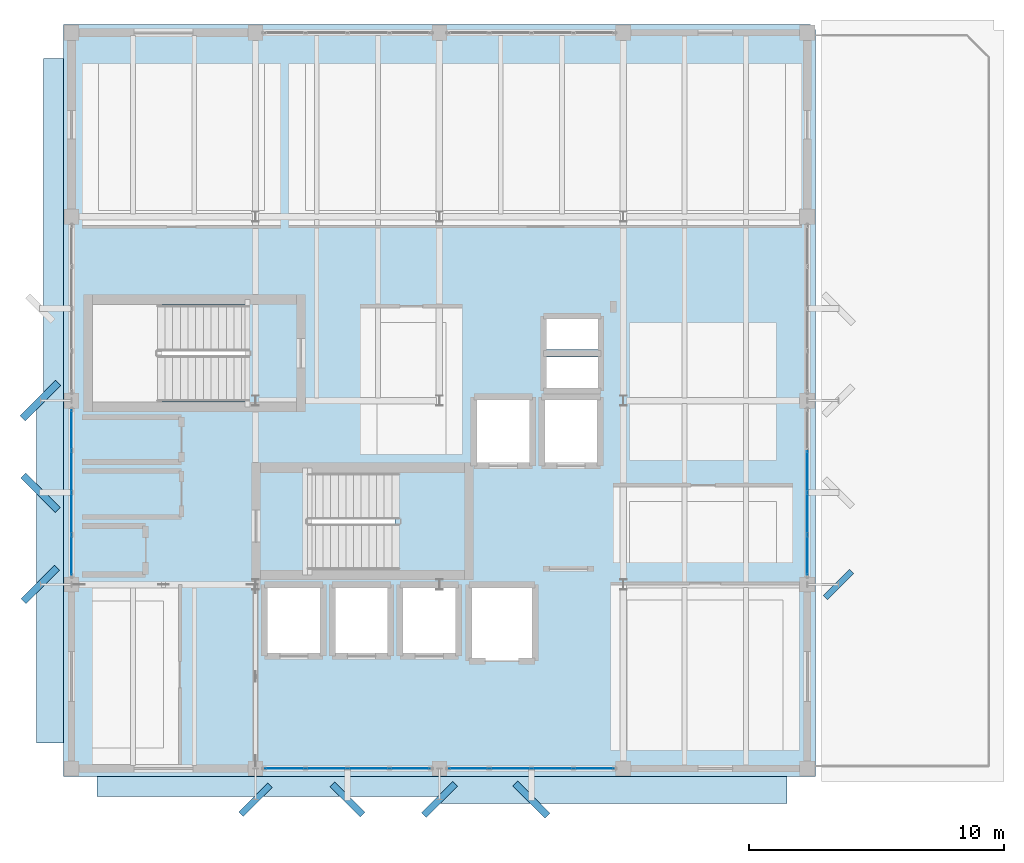
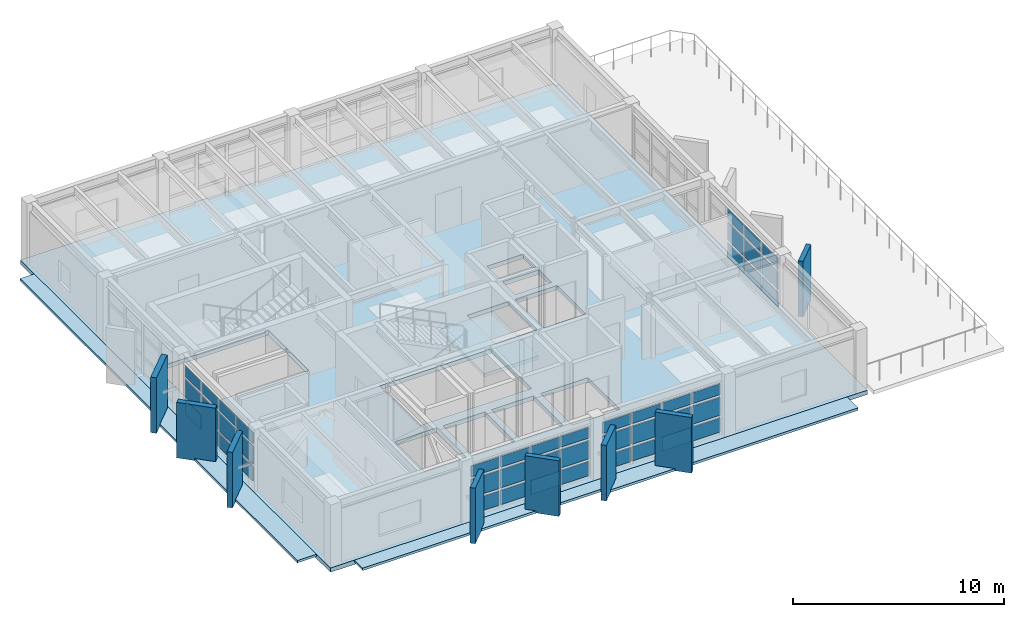
# One storey, part 11 of 19: 53 plates, 4 slabs, 5 elements without a shape of their own.
"""IFC4 building model written with IfcOpenShell, lengths in metres."""

from ifc_helpers import new_model, si_unit, direction, frame, origin, origin_2d, place, context, subcontext, project, spatial, polyline, rectangle, outline, extrude, material, layer, layer_set, type_object, element, aggregate, save


model = new_model("IFC4")

# Units and contexts
model_context = context("Model", 3, precision=1e-05, world=origin(), true_north=direction((0.0, 1.0)))
body_context = subcontext(model_context, "Body", "Model", "MODEL_VIEW")
ifc_project = project(units=[si_unit("LENGTHUNIT", "METRE"), si_unit("AREAUNIT", "SQUARE_METRE"), si_unit("VOLUMEUNIT", "CUBIC_METRE"), si_unit("PLANEANGLEUNIT", "RADIAN"), si_unit("MASSUNIT", "GRAM", prefix="KILO")], contexts=[model_context])

# Site, building, storey
site_placement = place(None, origin())
site = spatial("IfcSite", under=ifc_project, at=site_placement, CompositionType="ELEMENT")
building_placement = place(site_placement, origin())
building = spatial("IfcBuilding", under=site, at=building_placement, Name="Kandorven Conservatory and Botanical Research Centre", CompositionType="ELEMENT")
storey_placement = place(building_placement, frame((0.0, 0.0, 28.800048828125)))
storey = spatial("IfcBuildingStorey", under=building, at=storey_placement, Name="L07", CompositionType="ELEMENT", Elevation=28.800048828125)

# Curtain wall, plates
ifc_material_1 = material(Name="Bronze anodised thermally broken aluminium", Category="aluminium")
ifc_layer_1 = layer(ifc_material_1, 0.179931640625)
ifc_layer_set_1 = layer_set([ifc_layer_1], Name="Bronze anodised thermally broken aluminium")
curtain_wall_type = type_object("IfcCurtainWallType", Name="CW_Unitised", PredefinedType="USERDEFINED", material=ifc_layer_set_1)
curtain_wall_1_placement = place(storey_placement, origin())
curtain_wall_1 = element("IfcCurtainWall", 1, at=curtain_wall_1_placement, inside=storey, type_object=curtain_wall_type, Name="Tower laboratory curtain wall CW-TWR-S-L07-2", ObjectType="UNITISED GLAZING", PredefinedType="USERDEFINED")
ifc_material_2 = material(Name="Double-glazed solar-control low-E glass", Category="glass")
ifc_layer_2 = layer(ifc_material_2, 0.028076171875)
ifc_layer_set_2 = layer_set([ifc_layer_2], Name="Double-glazed solar-control low-E glass")
plate_type_1 = type_object("IfcPlateType", Name="CW_Panel", PredefinedType="CURTAIN_PANEL", material=ifc_layer_set_2)
plate_1_placement = place(storey_placement, frame((14.344970703125, 6.0, 0.14990234375), z_axis=(0.0, 0.0, 1.0), x_axis=(1.0, 0.0, 0.0)))
plate_1 = element("IfcPlate", 2, at=plate_1_placement, type_object=plate_type_1, Name="CW-01 panel 1.1", PredefinedType="CURTAIN_PANEL", context=body_context, shape_type="SweptSolid", body=[
    extrude(rectangle(XDim=1.530029296875, YDim=0.028076171875, at=origin_2d()), origin(), (0.0, 0.0, 1.0), 0.824951171875),
])
plate_2_placement = place(storey_placement, frame((14.344970703125, 6.0, 1.125), z_axis=(0.0, 0.0, 1.0), x_axis=(1.0, 0.0, 0.0)))
plate_2 = element("IfcPlate", 3, at=plate_2_placement, type_object=plate_type_1, Name="CW-01 panel 1.2", PredefinedType="CURTAIN_PANEL", context=body_context, shape_type="SweptSolid", body=[
    extrude(rectangle(XDim=1.530029296875, YDim=0.028076171875, at=origin_2d()), origin(), (0.0, 0.0, 1.0), 1.050048828125),
])
plate_3_placement = place(storey_placement, frame((14.344970703125, 6.0, 2.324951171875), z_axis=(0.0, 0.0, 1.0), x_axis=(1.0, 0.0, 0.0)))
plate_3 = element("IfcPlate", 4, at=plate_3_placement, type_object=plate_type_1, Name="CW-01 panel 1.3", PredefinedType="CURTAIN_PANEL", context=body_context, shape_type="SweptSolid", body=[
    extrude(rectangle(XDim=1.530029296875, YDim=0.028076171875, at=origin_2d()), origin(), (0.0, 0.0, 1.0), 0.625),
])
plate_4_placement = place(storey_placement, frame((15.97509765625, 6.0, 0.14990234375), z_axis=(0.0, 0.0, 1.0), x_axis=(1.0, 0.0, 0.0)))
plate_4 = element("IfcPlate", 5, at=plate_4_placement, type_object=plate_type_1, Name="CW-01 panel 2.1", PredefinedType="CURTAIN_PANEL", context=body_context, shape_type="SweptSolid", body=[
    extrude(rectangle(XDim=1.570068359375, YDim=0.028076171875, at=origin_2d()), origin(), (0.0, 0.0, 1.0), 0.824951171875),
])
plate_5_placement = place(storey_placement, frame((15.97509765625, 6.0, 1.125), z_axis=(0.0, 0.0, 1.0), x_axis=(1.0, 0.0, 0.0)))
plate_5 = element("IfcPlate", 6, at=plate_5_placement, type_object=plate_type_1, Name="CW-01 panel 2.2", PredefinedType="CURTAIN_PANEL", context=body_context, shape_type="SweptSolid", body=[
    extrude(rectangle(XDim=1.570068359375, YDim=0.028076171875, at=origin_2d()), origin(), (0.0, 0.0, 1.0), 1.050048828125),
])
plate_6_placement = place(storey_placement, frame((15.97509765625, 6.0, 2.324951171875), z_axis=(0.0, 0.0, 1.0), x_axis=(1.0, 0.0, 0.0)))
plate_6 = element("IfcPlate", 7, at=plate_6_placement, type_object=plate_type_1, Name="CW-01 panel 2.3", PredefinedType="CURTAIN_PANEL", context=body_context, shape_type="SweptSolid", body=[
    extrude(rectangle(XDim=1.570068359375, YDim=0.028076171875, at=origin_2d()), origin(), (0.0, 0.0, 1.0), 0.625),
])
plate_7_placement = place(storey_placement, frame((17.625, 6.0, 0.14990234375), z_axis=(0.0, 0.0, 1.0), x_axis=(1.0, 0.0, 0.0)))
plate_7 = element("IfcPlate", 8, at=plate_7_placement, type_object=plate_type_1, Name="CW-01 panel 3.1", PredefinedType="CURTAIN_PANEL", context=body_context, shape_type="SweptSolid", body=[
    extrude(rectangle(XDim=1.570068359375, YDim=0.028076171875, at=origin_2d()), origin(), (0.0, 0.0, 1.0), 0.824951171875),
])
plate_8_placement = place(storey_placement, frame((17.625, 6.0, 1.125), z_axis=(0.0, 0.0, 1.0), x_axis=(1.0, 0.0, 0.0)))
plate_8 = element("IfcPlate", 9, at=plate_8_placement, type_object=plate_type_1, Name="CW-01 panel 3.2", PredefinedType="CURTAIN_PANEL", context=body_context, shape_type="SweptSolid", body=[
    extrude(rectangle(XDim=1.570068359375, YDim=0.028076171875, at=origin_2d()), origin(), (0.0, 0.0, 1.0), 1.050048828125),
])
plate_9_placement = place(storey_placement, frame((17.625, 6.0, 2.324951171875), z_axis=(0.0, 0.0, 1.0), x_axis=(1.0, 0.0, 0.0)))
plate_9 = element("IfcPlate", 10, at=plate_9_placement, type_object=plate_type_1, Name="CW-01 panel 3.3", PredefinedType="CURTAIN_PANEL", context=body_context, shape_type="SweptSolid", body=[
    extrude(rectangle(XDim=1.570068359375, YDim=0.028076171875, at=origin_2d()), origin(), (0.0, 0.0, 1.0), 0.625),
])
plate_10_placement = place(storey_placement, frame((19.2548828125, 6.0, 0.14990234375), z_axis=(0.0, 0.0, 1.0), x_axis=(1.0, 0.0, 0.0)))
plate_10 = element("IfcPlate", 11, at=plate_10_placement, type_object=plate_type_1, Name="CW-01 panel 4.1", PredefinedType="CURTAIN_PANEL", context=body_context, shape_type="SweptSolid", body=[
    extrude(rectangle(XDim=1.530029296875, YDim=0.028076171875, at=origin_2d()), origin(), (0.0, 0.0, 1.0), 0.824951171875),
])
plate_11_placement = place(storey_placement, frame((19.2548828125, 6.0, 1.125), z_axis=(0.0, 0.0, 1.0), x_axis=(1.0, 0.0, 0.0)))
plate_11 = element("IfcPlate", 12, at=plate_11_placement, type_object=plate_type_1, Name="CW-01 panel 4.2", PredefinedType="CURTAIN_PANEL", context=body_context, shape_type="SweptSolid", body=[
    extrude(rectangle(XDim=1.530029296875, YDim=0.028076171875, at=origin_2d()), origin(), (0.0, 0.0, 1.0), 1.050048828125),
])
plate_12_placement = place(storey_placement, frame((19.2548828125, 6.0, 2.324951171875), z_axis=(0.0, 0.0, 1.0), x_axis=(1.0, 0.0, 0.0)))
plate_12 = element("IfcPlate", 13, at=plate_12_placement, type_object=plate_type_1, Name="CW-01 panel 4.3", PredefinedType="CURTAIN_PANEL", context=body_context, shape_type="SweptSolid", body=[
    extrude(rectangle(XDim=1.530029296875, YDim=0.028076171875, at=origin_2d()), origin(), (0.0, 0.0, 1.0), 0.625),
])
aggregate(curtain_wall_1, [plate_1, plate_2, plate_3, plate_4, plate_5, plate_6, plate_7, plate_8, plate_9, plate_10, plate_11, plate_12])

curtain_wall_2_placement = place(storey_placement, origin())
curtain_wall_2 = element("IfcCurtainWall", 14, at=curtain_wall_2_placement, inside=storey, type_object=curtain_wall_type, Name="Tower laboratory curtain wall CW-TWR-S-L07-3", ObjectType="UNITISED GLAZING", PredefinedType="USERDEFINED")
plate_13_placement = place(storey_placement, frame((21.544921875, 6.0, 0.14990234375), z_axis=(0.0, 0.0, 1.0), x_axis=(1.0, 0.0, 0.0)))
plate_13 = element("IfcPlate", 15, at=plate_13_placement, type_object=plate_type_1, Name="CW-01 panel 1.1", PredefinedType="CURTAIN_PANEL", context=body_context, shape_type="SweptSolid", body=[
    extrude(rectangle(XDim=1.530029296875, YDim=0.028076171875, at=origin_2d()), origin(), (0.0, 0.0, 1.0), 0.824951171875),
])
plate_14_placement = place(storey_placement, frame((21.544921875, 6.0, 1.125), z_axis=(0.0, 0.0, 1.0), x_axis=(1.0, 0.0, 0.0)))
plate_14 = element("IfcPlate", 16, at=plate_14_placement, type_object=plate_type_1, Name="CW-01 panel 1.2", PredefinedType="CURTAIN_PANEL", context=body_context, shape_type="SweptSolid", body=[
    extrude(rectangle(XDim=1.530029296875, YDim=0.028076171875, at=origin_2d()), origin(), (0.0, 0.0, 1.0), 1.050048828125),
])
plate_15_placement = place(storey_placement, frame((21.544921875, 6.0, 2.324951171875), z_axis=(0.0, 0.0, 1.0), x_axis=(1.0, 0.0, 0.0)))
plate_15 = element("IfcPlate", 17, at=plate_15_placement, type_object=plate_type_1, Name="CW-01 panel 1.3", PredefinedType="CURTAIN_PANEL", context=body_context, shape_type="SweptSolid", body=[
    extrude(rectangle(XDim=1.530029296875, YDim=0.028076171875, at=origin_2d()), origin(), (0.0, 0.0, 1.0), 0.625),
])
plate_16_placement = place(storey_placement, frame((23.175048828125, 6.0, 0.14990234375), z_axis=(0.0, 0.0, 1.0), x_axis=(1.0, 0.0, 0.0)))
plate_16 = element("IfcPlate", 18, at=plate_16_placement, type_object=plate_type_1, Name="CW-01 panel 2.1", PredefinedType="CURTAIN_PANEL", context=body_context, shape_type="SweptSolid", body=[
    extrude(rectangle(XDim=1.570068359375, YDim=0.028076171875, at=origin_2d()), origin(), (0.0, 0.0, 1.0), 0.824951171875),
])
plate_17_placement = place(storey_placement, frame((23.175048828125, 6.0, 1.125), z_axis=(0.0, 0.0, 1.0), x_axis=(1.0, 0.0, 0.0)))
plate_17 = element("IfcPlate", 19, at=plate_17_placement, type_object=plate_type_1, Name="CW-01 panel 2.2", PredefinedType="CURTAIN_PANEL", context=body_context, shape_type="SweptSolid", body=[
    extrude(rectangle(XDim=1.570068359375, YDim=0.028076171875, at=origin_2d()), origin(), (0.0, 0.0, 1.0), 1.050048828125),
])
plate_18_placement = place(storey_placement, frame((23.175048828125, 6.0, 2.324951171875), z_axis=(0.0, 0.0, 1.0), x_axis=(1.0, 0.0, 0.0)))
plate_18 = element("IfcPlate", 20, at=plate_18_placement, type_object=plate_type_1, Name="CW-01 panel 2.3", PredefinedType="CURTAIN_PANEL", context=body_context, shape_type="SweptSolid", body=[
    extrude(rectangle(XDim=1.570068359375, YDim=0.028076171875, at=origin_2d()), origin(), (0.0, 0.0, 1.0), 0.625),
])
plate_19_placement = place(storey_placement, frame((24.824951171875, 6.0, 0.14990234375), z_axis=(0.0, 0.0, 1.0), x_axis=(1.0, 0.0, 0.0)))
plate_19 = element("IfcPlate", 21, at=plate_19_placement, type_object=plate_type_1, Name="CW-01 panel 3.1", PredefinedType="CURTAIN_PANEL", context=body_context, shape_type="SweptSolid", body=[
    extrude(rectangle(XDim=1.570068359375, YDim=0.028076171875, at=origin_2d()), origin(), (0.0, 0.0, 1.0), 0.824951171875),
])
plate_20_placement = place(storey_placement, frame((24.824951171875, 6.0, 1.125), z_axis=(0.0, 0.0, 1.0), x_axis=(1.0, 0.0, 0.0)))
plate_20 = element("IfcPlate", 22, at=plate_20_placement, type_object=plate_type_1, Name="CW-01 panel 3.2", PredefinedType="CURTAIN_PANEL", context=body_context, shape_type="SweptSolid", body=[
    extrude(rectangle(XDim=1.570068359375, YDim=0.028076171875, at=origin_2d()), origin(), (0.0, 0.0, 1.0), 1.050048828125),
])
plate_21_placement = place(storey_placement, frame((24.824951171875, 6.0, 2.324951171875), z_axis=(0.0, 0.0, 1.0), x_axis=(1.0, 0.0, 0.0)))
plate_21 = element("IfcPlate", 23, at=plate_21_placement, type_object=plate_type_1, Name="CW-01 panel 3.3", PredefinedType="CURTAIN_PANEL", context=body_context, shape_type="SweptSolid", body=[
    extrude(rectangle(XDim=1.570068359375, YDim=0.028076171875, at=origin_2d()), origin(), (0.0, 0.0, 1.0), 0.625),
])
plate_22_placement = place(storey_placement, frame((26.455078125, 6.0, 0.14990234375), z_axis=(0.0, 0.0, 1.0), x_axis=(1.0, 0.0, 0.0)))
plate_22 = element("IfcPlate", 24, at=plate_22_placement, type_object=plate_type_1, Name="CW-01 panel 4.1", PredefinedType="CURTAIN_PANEL", context=body_context, shape_type="SweptSolid", body=[
    extrude(rectangle(XDim=1.530029296875, YDim=0.028076171875, at=origin_2d()), origin(), (0.0, 0.0, 1.0), 0.824951171875),
])
plate_23_placement = place(storey_placement, frame((26.455078125, 6.0, 1.125), z_axis=(0.0, 0.0, 1.0), x_axis=(1.0, 0.0, 0.0)))
plate_23 = element("IfcPlate", 25, at=plate_23_placement, type_object=plate_type_1, Name="CW-01 panel 4.2", PredefinedType="CURTAIN_PANEL", context=body_context, shape_type="SweptSolid", body=[
    extrude(rectangle(XDim=1.530029296875, YDim=0.028076171875, at=origin_2d()), origin(), (0.0, 0.0, 1.0), 1.050048828125),
])
plate_24_placement = place(storey_placement, frame((26.455078125, 6.0, 2.324951171875), z_axis=(0.0, 0.0, 1.0), x_axis=(1.0, 0.0, 0.0)))
plate_24 = element("IfcPlate", 26, at=plate_24_placement, type_object=plate_type_1, Name="CW-01 panel 4.3", PredefinedType="CURTAIN_PANEL", context=body_context, shape_type="SweptSolid", body=[
    extrude(rectangle(XDim=1.530029296875, YDim=0.028076171875, at=origin_2d()), origin(), (0.0, 0.0, 1.0), 0.625),
])
aggregate(curtain_wall_2, [plate_13, plate_14, plate_15, plate_16, plate_17, plate_18, plate_19, plate_20, plate_21, plate_22, plate_23, plate_24])

curtain_wall_3_placement = place(storey_placement, origin())
curtain_wall_3 = element("IfcCurtainWall", 27, at=curtain_wall_3_placement, inside=storey, type_object=curtain_wall_type, Name="Tower laboratory curtain wall CW-TWR-W-L07-2", ObjectType="UNITISED GLAZING", PredefinedType="USERDEFINED")
plate_25_placement = place(storey_placement, frame((6.0, 14.344970703125, 0.14990234375), z_axis=(0.0, 0.0, 1.0), x_axis=(0.0, 1.0, 0.0)))
plate_25 = element("IfcPlate", 28, at=plate_25_placement, type_object=plate_type_1, Name="CW-01 panel 1.1", PredefinedType="CURTAIN_PANEL", context=body_context, shape_type="SweptSolid", body=[
    extrude(rectangle(XDim=1.530029296875, YDim=0.028076171875, at=origin_2d()), origin(), (0.0, 0.0, 1.0), 0.824951171875),
])
plate_26_placement = place(storey_placement, frame((6.0, 14.344970703125, 1.125), z_axis=(0.0, 0.0, 1.0), x_axis=(0.0, 1.0, 0.0)))
plate_26 = element("IfcPlate", 29, at=plate_26_placement, type_object=plate_type_1, Name="CW-01 panel 1.2", PredefinedType="CURTAIN_PANEL", context=body_context, shape_type="SweptSolid", body=[
    extrude(rectangle(XDim=1.530029296875, YDim=0.028076171875, at=origin_2d()), origin(), (0.0, 0.0, 1.0), 1.050048828125),
])
plate_27_placement = place(storey_placement, frame((6.0, 14.344970703125, 2.324951171875), z_axis=(0.0, 0.0, 1.0), x_axis=(0.0, 1.0, 0.0)))
plate_27 = element("IfcPlate", 30, at=plate_27_placement, type_object=plate_type_1, Name="CW-01 panel 1.3", PredefinedType="CURTAIN_PANEL", context=body_context, shape_type="SweptSolid", body=[
    extrude(rectangle(XDim=1.530029296875, YDim=0.028076171875, at=origin_2d()), origin(), (0.0, 0.0, 1.0), 0.625),
])
plate_28_placement = place(storey_placement, frame((6.0, 15.97509765625, 0.14990234375), z_axis=(0.0, 0.0, 1.0), x_axis=(0.0, 1.0, 0.0)))
plate_28 = element("IfcPlate", 31, at=plate_28_placement, type_object=plate_type_1, Name="CW-01 panel 2.1", PredefinedType="CURTAIN_PANEL", context=body_context, shape_type="SweptSolid", body=[
    extrude(rectangle(XDim=1.570068359375, YDim=0.028076171875, at=origin_2d()), origin(), (0.0, 0.0, 1.0), 0.824951171875),
])
plate_29_placement = place(storey_placement, frame((6.0, 15.97509765625, 1.125), z_axis=(0.0, 0.0, 1.0), x_axis=(0.0, 1.0, 0.0)))
plate_29 = element("IfcPlate", 32, at=plate_29_placement, type_object=plate_type_1, Name="CW-01 panel 2.2", PredefinedType="CURTAIN_PANEL", context=body_context, shape_type="SweptSolid", body=[
    extrude(rectangle(XDim=1.570068359375, YDim=0.028076171875, at=origin_2d()), origin(), (0.0, 0.0, 1.0), 1.050048828125),
])
plate_30_placement = place(storey_placement, frame((6.0, 15.97509765625, 2.324951171875), z_axis=(0.0, 0.0, 1.0), x_axis=(0.0, 1.0, 0.0)))
plate_30 = element("IfcPlate", 33, at=plate_30_placement, type_object=plate_type_1, Name="CW-01 panel 2.3", PredefinedType="CURTAIN_PANEL", context=body_context, shape_type="SweptSolid", body=[
    extrude(rectangle(XDim=1.570068359375, YDim=0.028076171875, at=origin_2d()), origin(), (0.0, 0.0, 1.0), 0.625),
])
plate_31_placement = place(storey_placement, frame((6.0, 17.625, 0.14990234375), z_axis=(0.0, 0.0, 1.0), x_axis=(0.0, 1.0, 0.0)))
plate_31 = element("IfcPlate", 34, at=plate_31_placement, type_object=plate_type_1, Name="CW-01 panel 3.1", PredefinedType="CURTAIN_PANEL", context=body_context, shape_type="SweptSolid", body=[
    extrude(rectangle(XDim=1.570068359375, YDim=0.028076171875, at=origin_2d()), origin(), (0.0, 0.0, 1.0), 0.824951171875),
])
plate_32_placement = place(storey_placement, frame((6.0, 17.625, 1.125), z_axis=(0.0, 0.0, 1.0), x_axis=(0.0, 1.0, 0.0)))
plate_32 = element("IfcPlate", 35, at=plate_32_placement, type_object=plate_type_1, Name="CW-01 panel 3.2", PredefinedType="CURTAIN_PANEL", context=body_context, shape_type="SweptSolid", body=[
    extrude(rectangle(XDim=1.570068359375, YDim=0.028076171875, at=origin_2d()), origin(), (0.0, 0.0, 1.0), 1.050048828125),
])
plate_33_placement = place(storey_placement, frame((6.0, 17.625, 2.324951171875), z_axis=(0.0, 0.0, 1.0), x_axis=(0.0, 1.0, 0.0)))
plate_33 = element("IfcPlate", 36, at=plate_33_placement, type_object=plate_type_1, Name="CW-01 panel 3.3", PredefinedType="CURTAIN_PANEL", context=body_context, shape_type="SweptSolid", body=[
    extrude(rectangle(XDim=1.570068359375, YDim=0.028076171875, at=origin_2d()), origin(), (0.0, 0.0, 1.0), 0.625),
])
plate_34_placement = place(storey_placement, frame((6.0, 19.2548828125, 0.14990234375), z_axis=(0.0, 0.0, 1.0), x_axis=(0.0, 1.0, 0.0)))
plate_34 = element("IfcPlate", 37, at=plate_34_placement, type_object=plate_type_1, Name="CW-01 panel 4.1", PredefinedType="CURTAIN_PANEL", context=body_context, shape_type="SweptSolid", body=[
    extrude(rectangle(XDim=1.530029296875, YDim=0.028076171875, at=origin_2d()), origin(), (0.0, 0.0, 1.0), 0.824951171875),
])
plate_35_placement = place(storey_placement, frame((6.0, 19.2548828125, 1.125), z_axis=(0.0, 0.0, 1.0), x_axis=(0.0, 1.0, 0.0)))
plate_35 = element("IfcPlate", 38, at=plate_35_placement, type_object=plate_type_1, Name="CW-01 panel 4.2", PredefinedType="CURTAIN_PANEL", context=body_context, shape_type="SweptSolid", body=[
    extrude(rectangle(XDim=1.530029296875, YDim=0.028076171875, at=origin_2d()), origin(), (0.0, 0.0, 1.0), 1.050048828125),
])
plate_36_placement = place(storey_placement, frame((6.0, 19.2548828125, 2.324951171875), z_axis=(0.0, 0.0, 1.0), x_axis=(0.0, 1.0, 0.0)))
plate_36 = element("IfcPlate", 39, at=plate_36_placement, type_object=plate_type_1, Name="CW-01 panel 4.3", PredefinedType="CURTAIN_PANEL", context=body_context, shape_type="SweptSolid", body=[
    extrude(rectangle(XDim=1.530029296875, YDim=0.028076171875, at=origin_2d()), origin(), (0.0, 0.0, 1.0), 0.625),
])
aggregate(curtain_wall_3, [plate_25, plate_26, plate_27, plate_28, plate_29, plate_30, plate_31, plate_32, plate_33, plate_34, plate_35, plate_36])

curtain_wall_4_placement = place(storey_placement, origin())
curtain_wall_4 = element("IfcCurtainWall", 40, at=curtain_wall_4_placement, inside=storey, type_object=curtain_wall_type, Name="Tower laboratory curtain wall CW-TWR-E-L07-2", ObjectType="UNITISED GLAZING", PredefinedType="USERDEFINED")
plate_37_placement = place(storey_placement, frame((34.800048828125, 14.344970703125, 0.14990234375), z_axis=(0.0, 0.0, 1.0), x_axis=(0.0, 1.0, 0.0)))
plate_37 = element("IfcPlate", 41, at=plate_37_placement, type_object=plate_type_1, Name="CW-01 panel 1.1", PredefinedType="CURTAIN_PANEL", context=body_context, shape_type="SweptSolid", body=[
    extrude(rectangle(XDim=1.530029296875, YDim=0.028076171875, at=origin_2d()), origin(), (0.0, 0.0, 1.0), 0.824951171875),
])
plate_38_placement = place(storey_placement, frame((34.800048828125, 14.344970703125, 1.125), z_axis=(0.0, 0.0, 1.0), x_axis=(0.0, 1.0, 0.0)))
plate_38 = element("IfcPlate", 42, at=plate_38_placement, type_object=plate_type_1, Name="CW-01 panel 1.2", PredefinedType="CURTAIN_PANEL", context=body_context, shape_type="SweptSolid", body=[
    extrude(rectangle(XDim=1.530029296875, YDim=0.028076171875, at=origin_2d()), origin(), (0.0, 0.0, 1.0), 1.050048828125),
])
plate_39_placement = place(storey_placement, frame((34.800048828125, 14.344970703125, 2.324951171875), z_axis=(0.0, 0.0, 1.0), x_axis=(0.0, 1.0, 0.0)))
plate_39 = element("IfcPlate", 43, at=plate_39_placement, type_object=plate_type_1, Name="CW-01 panel 1.3", PredefinedType="CURTAIN_PANEL", context=body_context, shape_type="SweptSolid", body=[
    extrude(rectangle(XDim=1.530029296875, YDim=0.028076171875, at=origin_2d()), origin(), (0.0, 0.0, 1.0), 0.625),
])
plate_40_placement = place(storey_placement, frame((34.800048828125, 15.97509765625, 0.14990234375), z_axis=(0.0, 0.0, 1.0), x_axis=(0.0, 1.0, 0.0)))
plate_40 = element("IfcPlate", 44, at=plate_40_placement, type_object=plate_type_1, Name="CW-01 panel 2.1", PredefinedType="CURTAIN_PANEL", context=body_context, shape_type="SweptSolid", body=[
    extrude(rectangle(XDim=1.570068359375, YDim=0.028076171875, at=origin_2d()), origin(), (0.0, 0.0, 1.0), 0.824951171875),
])
plate_41_placement = place(storey_placement, frame((34.800048828125, 15.97509765625, 1.125), z_axis=(0.0, 0.0, 1.0), x_axis=(0.0, 1.0, 0.0)))
plate_41 = element("IfcPlate", 45, at=plate_41_placement, type_object=plate_type_1, Name="CW-01 panel 2.2", PredefinedType="CURTAIN_PANEL", context=body_context, shape_type="SweptSolid", body=[
    extrude(rectangle(XDim=1.570068359375, YDim=0.028076171875, at=origin_2d()), origin(), (0.0, 0.0, 1.0), 1.050048828125),
])
plate_42_placement = place(storey_placement, frame((34.800048828125, 15.97509765625, 2.324951171875), z_axis=(0.0, 0.0, 1.0), x_axis=(0.0, 1.0, 0.0)))
plate_42 = element("IfcPlate", 46, at=plate_42_placement, type_object=plate_type_1, Name="CW-01 panel 2.3", PredefinedType="CURTAIN_PANEL", context=body_context, shape_type="SweptSolid", body=[
    extrude(rectangle(XDim=1.570068359375, YDim=0.028076171875, at=origin_2d()), origin(), (0.0, 0.0, 1.0), 0.625),
])
plate_43_placement = place(storey_placement, frame((34.800048828125, 17.625, 0.14990234375), z_axis=(0.0, 0.0, 1.0), x_axis=(0.0, 1.0, 0.0)))
plate_43 = element("IfcPlate", 47, at=plate_43_placement, type_object=plate_type_1, Name="CW-01 panel 3.1", PredefinedType="CURTAIN_PANEL", context=body_context, shape_type="SweptSolid", body=[
    extrude(rectangle(XDim=1.570068359375, YDim=0.028076171875, at=origin_2d()), origin(), (0.0, 0.0, 1.0), 0.824951171875),
])
plate_44_placement = place(storey_placement, frame((34.800048828125, 17.625, 1.125), z_axis=(0.0, 0.0, 1.0), x_axis=(0.0, 1.0, 0.0)))
plate_44 = element("IfcPlate", 48, at=plate_44_placement, type_object=plate_type_1, Name="CW-01 panel 3.2", PredefinedType="CURTAIN_PANEL", context=body_context, shape_type="SweptSolid", body=[
    extrude(rectangle(XDim=1.570068359375, YDim=0.028076171875, at=origin_2d()), origin(), (0.0, 0.0, 1.0), 1.050048828125),
])
plate_45_placement = place(storey_placement, frame((34.800048828125, 17.625, 2.324951171875), z_axis=(0.0, 0.0, 1.0), x_axis=(0.0, 1.0, 0.0)))
plate_45 = element("IfcPlate", 49, at=plate_45_placement, type_object=plate_type_1, Name="CW-01 panel 3.3", PredefinedType="CURTAIN_PANEL", context=body_context, shape_type="SweptSolid", body=[
    extrude(rectangle(XDim=1.570068359375, YDim=0.028076171875, at=origin_2d()), origin(), (0.0, 0.0, 1.0), 0.625),
])
aggregate(curtain_wall_4, [plate_37, plate_38, plate_39, plate_40, plate_41, plate_42, plate_43, plate_44, plate_45])

# Plates
ifc_material_3 = material(Name="Precast concrete C40/50 (M50)", Category="concrete")
ifc_layer_3 = layer(ifc_material_3, 0.2451171875)
ifc_layer_set_3 = layer_set([ifc_layer_3], Name="Precast concrete C40/50 (M50)")
plate_type_2 = type_object("IfcPlateType", Name="Fin_BF-02", PredefinedType="USERDEFINED", material=ifc_layer_set_3)
plate_46_placement = place(storey_placement, frame((36.02001953125, 13.199951171875, -0.1201171875), z_axis=(0.0, 0.0, 1.0), x_axis=(0.707106781187, 0.707106781187, 0.0)))
element("IfcPlate", 50, at=plate_46_placement, inside=storey, type_object=plate_type_2, Name="Sculpted board-marked concrete brise-soleil fin BF-02", ObjectType="SOLAR FIN", PredefinedType="USERDEFINED", context=body_context, shape_type="SweptSolid", body=[
    extrude(rectangle(XDim=1.4599609375, YDim=0.2451171875, at=origin_2d()), origin(), (0.0, 0.0, 1.0), 3.219970703125),
])
ifc_material_4 = material(Name="Precast concrete C40/50 (M50)", Category="concrete")
ifc_layer_4 = layer(ifc_material_4, 0.256103515625)
ifc_layer_set_4 = layer_set([ifc_layer_4], Name="Precast concrete C40/50 (M50)")
plate_type_3 = type_object("IfcPlateType", Name="Fin_BF-14", PredefinedType="USERDEFINED", material=ifc_layer_set_4)
plate_47_placement = place(storey_placement, frame((13.199951171875, 4.780029296875, -0.1201171875), z_axis=(0.0, 0.0, 1.0), x_axis=(0.707106781187, 0.707106781187, 0.0)))
element("IfcPlate", 51, at=plate_47_placement, inside=storey, type_object=plate_type_3, Name="Sculpted board-marked concrete brise-soleil fin BF-14", ObjectType="SOLAR FIN", PredefinedType="USERDEFINED", context=body_context, shape_type="SweptSolid", body=[
    extrude(rectangle(XDim=1.610107421875, YDim=0.256103515625, at=origin_2d()), origin(), (0.0, 0.0, 1.0), 3.219970703125),
])
ifc_material_5 = material(Name="Precast concrete C40/50 (M50)", Category="concrete")
ifc_layer_5 = layer(ifc_material_5, 0.261962890625)
ifc_layer_set_5 = layer_set([ifc_layer_5], Name="Precast concrete C40/50 (M50)")
plate_type_4 = type_object("IfcPlateType", Name="Fin_BF-15", PredefinedType="USERDEFINED", material=ifc_layer_set_5)
plate_48_placement = place(storey_placement, frame((16.800048828125, 4.780029296875, -0.1201171875), z_axis=(0.0, 0.0, 1.0), x_axis=(-0.707106781187, 0.707106781187, 0.0)))
element("IfcPlate", 52, at=plate_48_placement, inside=storey, type_object=plate_type_4, Name="Sculpted board-marked concrete brise-soleil fin BF-15", ObjectType="SOLAR FIN", PredefinedType="USERDEFINED", context=body_context, shape_type="SweptSolid", body=[
    extrude(rectangle(XDim=1.669921875, YDim=0.261962890625, at=origin_2d()), origin(), (0.0, 0.0, 1.0), 3.219970703125),
])
ifc_material_6 = material(Name="Precast concrete C40/50 (M50)", Category="concrete")
ifc_layer_6 = layer(ifc_material_6, 0.26611328125)
ifc_layer_set_6 = layer_set([ifc_layer_6], Name="Precast concrete C40/50 (M50)")
plate_type_5 = type_object("IfcPlateType", Name="Fin_BF-16", PredefinedType="USERDEFINED", material=ifc_layer_set_6)
plate_49_placement = place(storey_placement, frame((20.39990234375, 4.780029296875, -0.1201171875), z_axis=(0.0, 0.0, 1.0), x_axis=(0.707106781187, 0.707106781187, 0.0)))
element("IfcPlate", 53, at=plate_49_placement, inside=storey, type_object=plate_type_5, Name="Sculpted board-marked concrete brise-soleil fin BF-16", ObjectType="SOLAR FIN", PredefinedType="USERDEFINED", context=body_context, shape_type="SweptSolid", body=[
    extrude(rectangle(XDim=1.72998046875, YDim=0.26611328125, at=origin_2d()), origin(), (0.0, 0.0, 1.0), 3.219970703125),
])
ifc_material_7 = material(Name="Precast concrete C40/50 (M50)", Category="concrete")
ifc_layer_7 = layer(ifc_material_7, 0.27197265625)
ifc_layer_set_7 = layer_set([ifc_layer_7], Name="Precast concrete C40/50 (M50)")
plate_type_6 = type_object("IfcPlateType", Name="Fin_BF-17", PredefinedType="USERDEFINED", material=ifc_layer_set_7)
plate_50_placement = place(storey_placement, frame((24.0, 4.780029296875, -0.1201171875), z_axis=(0.0, 0.0, 1.0), x_axis=(-0.707106781187, 0.707106781187, 0.0)))
element("IfcPlate", 54, at=plate_50_placement, inside=storey, type_object=plate_type_6, Name="Sculpted board-marked concrete brise-soleil fin BF-17", ObjectType="SOLAR FIN", PredefinedType="USERDEFINED", context=body_context, shape_type="SweptSolid", body=[
    extrude(rectangle(XDim=1.7900390625, YDim=0.27197265625, at=origin_2d()), origin(), (0.0, 0.0, 1.0), 3.219970703125),
])
ifc_material_8 = material(Name="Precast concrete C40/50 (M50)", Category="concrete")
ifc_layer_8 = layer(ifc_material_8, 0.27587890625)
ifc_layer_set_8 = layer_set([ifc_layer_8], Name="Precast concrete C40/50 (M50)")
plate_type_7 = type_object("IfcPlateType", Name="Fin_BF-18", PredefinedType="USERDEFINED", material=ifc_layer_set_8)
plate_51_placement = place(storey_placement, frame((4.780029296875, 13.199951171875, -0.1201171875), z_axis=(0.0, 0.0, 1.0), x_axis=(0.707106781187, 0.707106781187, 0.0)))
element("IfcPlate", 55, at=plate_51_placement, inside=storey, type_object=plate_type_7, Name="Sculpted board-marked concrete brise-soleil fin BF-18", ObjectType="SOLAR FIN", PredefinedType="USERDEFINED", context=body_context, shape_type="SweptSolid", body=[
    extrude(rectangle(XDim=1.85009765625, YDim=0.27587890625, at=origin_2d()), origin(), (0.0, 0.0, 1.0), 3.219970703125),
])
ifc_material_9 = material(Name="Precast concrete C40/50 (M50)", Category="concrete")
ifc_layer_9 = layer(ifc_material_9, 0.281982421875)
ifc_layer_set_9 = layer_set([ifc_layer_9], Name="Precast concrete C40/50 (M50)")
plate_type_8 = type_object("IfcPlateType", Name="Fin_BF-19", PredefinedType="USERDEFINED", material=ifc_layer_set_9)
plate_52_placement = place(storey_placement, frame((4.780029296875, 16.800048828125, -0.1201171875), z_axis=(0.0, 0.0, 1.0), x_axis=(-0.707106781187, 0.707106781187, 0.0)))
element("IfcPlate", 56, at=plate_52_placement, inside=storey, type_object=plate_type_8, Name="Sculpted board-marked concrete brise-soleil fin BF-19", ObjectType="SOLAR FIN", PredefinedType="USERDEFINED", context=body_context, shape_type="SweptSolid", body=[
    extrude(rectangle(XDim=1.909912109375, YDim=0.281982421875, at=origin_2d()), origin(), (0.0, 0.0, 1.0), 3.219970703125),
])
ifc_material_10 = material(Name="Precast concrete C40/50 (M50)", Category="concrete")
ifc_layer_10 = layer(ifc_material_10, 0.2880859375)
ifc_layer_set_10 = layer_set([ifc_layer_10], Name="Precast concrete C40/50 (M50)")
plate_type_9 = type_object("IfcPlateType", Name="Fin_BF-20", PredefinedType="USERDEFINED", material=ifc_layer_set_10)
plate_53_placement = place(storey_placement, frame((4.780029296875, 20.39990234375, -0.1201171875), z_axis=(0.0, 0.0, 1.0), x_axis=(0.707106781187, 0.707106781187, 0.0)))
element("IfcPlate", 57, at=plate_53_placement, inside=storey, type_object=plate_type_9, Name="Sculpted board-marked concrete brise-soleil fin BF-20", ObjectType="SOLAR FIN", PredefinedType="USERDEFINED", context=body_context, shape_type="SweptSolid", body=[
    extrude(rectangle(XDim=1.969970703125, YDim=0.2880859375, at=origin_2d()), origin(), (0.0, 0.0, 1.0), 3.219970703125),
])

# Slabs
ifc_material_11 = material(Name="Concrete C32/40 (M40)", Category="concrete")
ifc_layer_11 = layer(ifc_material_11, 0.25)
ifc_layer_set_11 = layer_set([ifc_layer_11], Name="Concrete C32/40 (M40)")
slab_type_1 = type_object("IfcSlabType", Name="Slab_SL-06", PredefinedType="FLOOR", material=ifc_layer_set_11)
slab_1_placement = place(storey_placement, frame((0.0, 0.0, -0.25)))
element("IfcSlab", 58, at=slab_1_placement, inside=storey, type_object=slab_type_1, Name="Tower floor slab L07", PredefinedType="FLOOR", context=body_context, shape_type="SweptSolid", body=[
    extrude(outline(polyline([(5.679931640625, 5.679931640625), (35.1201171875, 5.679931640625), (35.1201171875, 34.919921875), (34.919921875, 34.919921875), (34.919921875, 35.1201171875), (5.679931640625, 35.1201171875), (5.679931640625, 5.679931640625)]), holes=[polyline([(15.239990234375, 13.780029296875), (21.3798828125, 13.780029296875), (21.3798828125, 17.570068359375), (15.239990234375, 17.570068359375), (15.239990234375, 13.780029296875)]), polyline([(12.9599609375, 24.14990234375), (6.820068359375, 24.14990234375), (6.820068359375, 20.360107421875), (12.9599609375, 20.360107421875), (12.9599609375, 24.14990234375)]), polyline([(21.75, 17.85009765625), (24.050048828125, 17.85009765625), (24.050048828125, 20.550048828125), (21.75, 20.550048828125), (21.75, 17.85009765625)]), polyline([(24.39990234375, 17.85009765625), (26.699951171875, 17.85009765625), (26.699951171875, 20.550048828125), (24.39990234375, 20.550048828125), (24.39990234375, 17.85009765625)]), polyline([(13.550048828125, 10.39990234375), (15.85009765625, 10.39990234375), (15.85009765625, 13.199951171875), (13.550048828125, 13.199951171875), (13.550048828125, 10.39990234375)]), polyline([(16.199951171875, 10.39990234375), (18.5, 10.39990234375), (18.5, 13.199951171875), (16.199951171875, 13.199951171875), (16.199951171875, 10.39990234375)]), polyline([(18.85009765625, 10.39990234375), (21.14990234375, 10.39990234375), (21.14990234375, 13.199951171875), (18.85009765625, 13.199951171875), (18.85009765625, 10.39990234375)]), polyline([(21.550048828125, 10.199951171875), (24.14990234375, 10.199951171875), (24.14990234375, 13.199951171875), (21.550048828125, 13.199951171875), (21.550048828125, 10.199951171875)]), polyline([(24.60009765625, 20.89990234375), (26.60009765625, 20.89990234375), (26.60009765625, 22.10009765625), (24.60009765625, 22.10009765625), (24.60009765625, 20.89990234375)]), polyline([(24.60009765625, 22.39990234375), (26.60009765625, 22.39990234375), (26.60009765625, 23.60009765625), (24.60009765625, 23.60009765625), (24.60009765625, 22.39990234375)])]), origin(), (0.0, 0.0, 1.0), 0.25),
])
ifc_material_12 = material(Name="Concrete C32/40 (M40)", Category="concrete")
ifc_layer_12 = layer(ifc_material_12, 0.139892578125)
ifc_layer_set_12 = layer_set([ifc_layer_12], Name="Concrete C32/40 (M40)")
slab_type_2 = type_object("IfcSlabType", Name="Slab_SL-16", PredefinedType="FLOOR", material=ifc_layer_set_12)
slab_2_placement = place(storey_placement, frame((0.0, 0.0, -0.14013671875)))
element("IfcSlab", 59, at=slab_2_placement, inside=storey, type_object=slab_type_2, Name="Tower south sculpted concrete solar-hood slab L07", PredefinedType="FLOOR", context=body_context, shape_type="SweptSolid", body=[
    extrude(outline(polyline([(7.0, 5.679931640625), (34.0, 5.679931640625), (34.0, 4.6298828125), (20.39990234375, 4.6298828125), (20.39990234375, 4.89990234375), (7.0, 4.89990234375), (7.0, 5.679931640625)])), origin(), (0.0, 0.0, 1.0), 0.14013671875),
])
slab_3_placement = place(storey_placement, frame((0.0, 0.0, -0.14013671875)))
element("IfcSlab", 60, at=slab_3_placement, inside=storey, type_object=slab_type_2, Name="Tower west sculpted concrete solar-hood slab L07", PredefinedType="FLOOR", context=body_context, shape_type="SweptSolid", body=[
    extrude(outline(polyline([(4.6298828125, 7.0), (5.679931640625, 7.0), (5.679931640625, 33.800048828125), (4.89990234375, 33.800048828125), (4.89990234375, 20.39990234375), (4.6298828125, 20.39990234375), (4.6298828125, 7.0)])), origin(), (0.0, 0.0, 1.0), 0.14013671875),
])

# Stair, slab
ifc_material_13 = material(Name="Concrete C32/40 (M40)", Category="concrete")
stair_type = type_object("IfcStairType", Name="Stair_1820", PredefinedType="HALF_TURN_STAIR", material=ifc_material_13)
stair_placement = place(storey_placement, origin())
stair = element("IfcStair", 61, at=stair_placement, inside=storey, type_object=stair_type, Name="L07 Tower Fire Stair ST-T1", PredefinedType="HALF_TURN_STAIR")
ifc_material_14 = material(Name="Concrete C32/40 (M40)", Category="concrete")
ifc_layer_13 = layer(ifc_material_14, 0.199951171875)
ifc_layer_set_13 = layer_set([ifc_layer_13], Name="Concrete C32/40 (M40)")
slab_type_3 = type_object("IfcSlabType", Name="StairLanding_200", PredefinedType="LANDING", material=ifc_layer_set_13)
slab_4_placement = place(storey_placement, frame((0.0, 0.0, 1.75)))
slab_4 = element("IfcSlab", 62, at=slab_4_placement, type_object=slab_type_3, Name="ST-T1 landing 1", PredefinedType="LANDING", context=body_context, shape_type="SweptSolid", body=[
    extrude(outline(polyline([(18.659423828125, 13.5400390625), (21.6201171875, 13.5400390625), (21.6201171875, 17.81005859375), (18.659423828125, 17.81005859375), (18.659423828125, 13.5400390625)])), origin(), (0.0, 0.0, 1.0), 0.199951171875),
])
aggregate(stair, [slab_4])

save(model, "model.ifc")
